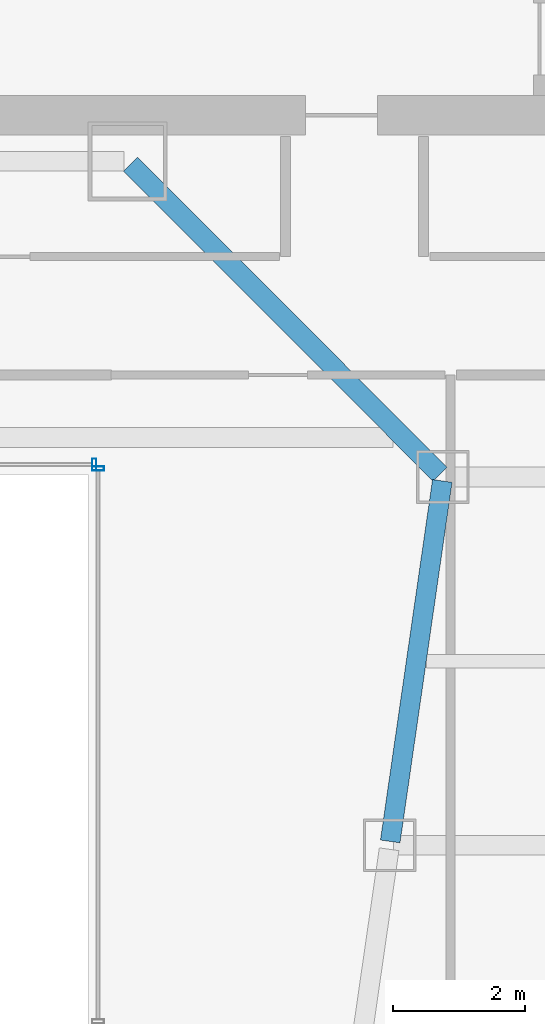
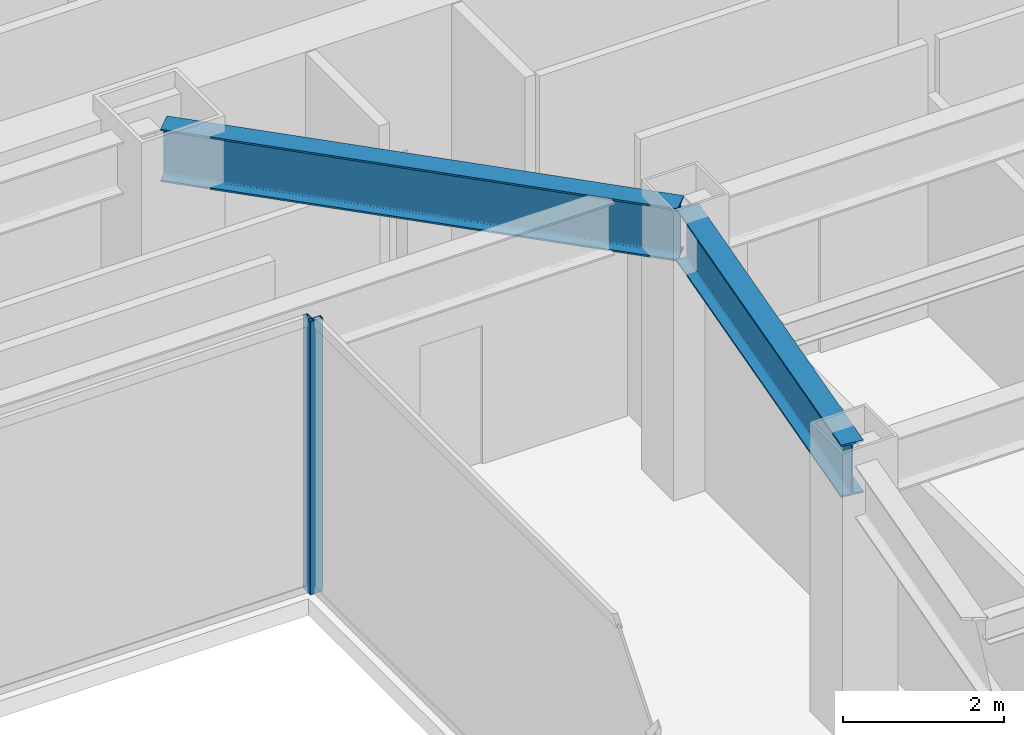
# One storey, part 29 of 47: 2 beams, 2 members, 2 elements without a shape of their own.
"""IFC4 building model written with IfcOpenShell, lengths in metres."""

from ifc_helpers import new_model, si_unit, direction, frame, origin, origin_2d, place, context, subcontext, project, spatial, hollow_rectangle, i_section, extrude, material, material_profile, profile_set, type_object, element, aggregate, save


model = new_model("IFC4")

# Units and contexts
model_context = context("Model", 3, precision=1e-05, world=origin(), true_north=direction((0.0, 1.0)))
body_context = subcontext(model_context, "Body", "Model", "MODEL_VIEW")
ifc_project = project(units=[si_unit("LENGTHUNIT", "METRE"), si_unit("AREAUNIT", "SQUARE_METRE"), si_unit("VOLUMEUNIT", "CUBIC_METRE"), si_unit("PLANEANGLEUNIT", "RADIAN"), si_unit("MASSUNIT", "GRAM", prefix="KILO")], contexts=[model_context])

# Site, building, storey
site_placement = place(None, origin())
site = spatial("IfcSite", under=ifc_project, at=site_placement, CompositionType="ELEMENT")
building_placement = place(site_placement, origin())
building = spatial("IfcBuilding", under=site, at=building_placement, Name="Saevonmaru Cultural Tower", CompositionType="ELEMENT")
storey_placement = place(building_placement, frame((0.0, 0.0, 92.800048828125)))
storey = spatial("IfcBuildingStorey", under=building, at=storey_placement, Name="L19", CompositionType="ELEMENT", Elevation=92.800048828125)

# Beams
ifc_material_1 = material(Name="Steel SM420", Category="steel")
ifc_material_profile_1 = material_profile(ifc_material_1, i_section(OverallWidth=0.300048828125, OverallDepth=0.800048828125, WebThickness=0.013916015625, FlangeThickness=0.02587890625, FilletRadius=0.028076171875, at=origin_2d()), Name="H-800x300x14x26")
ifc_profile_set_1 = profile_set([ifc_material_profile_1], Name="Steel SM420")
beam_type = type_object("IfcBeamType", Name="BM-G-H800", PredefinedType="BEAM", material=ifc_profile_set_1)
beam_1_placement = place(storey_placement, frame((40.3916015625, 32.059326171875, 3.75), z_axis=(0.142964121327, 0.989727871697, 0.0), x_axis=(-0.989727871697, 0.142964121327, 0.0)))
element("IfcBeam", 1, at=beam_1_placement, inside=storey, type_object=beam_type, Name="L19 East Atrium Girder 5", PredefinedType="BEAM", context=body_context, shape_type="SweptSolid", body=[
    extrude(i_section(OverallWidth=0.300048828125, OverallDepth=0.800048828125, WebThickness=0.013916015625, FlangeThickness=0.02587890625, FilletRadius=0.028076171875, at=origin_2d()), origin(), (0.0, 0.0, 1.0), 5.5380859375),
])
beam_2_placement = place(storey_placement, frame((41.149658203125, 37.642578125, 3.75), z_axis=(-0.706538566564, 0.707674539572, 0.0), x_axis=(-0.707674539572, -0.706538566564, 0.0)))
element("IfcBeam", 2, at=beam_2_placement, inside=storey, type_object=beam_type, Name="L19 East Atrium Girder 6", PredefinedType="BEAM", context=body_context, shape_type="SweptSolid", body=[
    extrude(i_section(OverallWidth=0.300048828125, OverallDepth=0.800048828125, WebThickness=0.013916015625, FlangeThickness=0.02587890625, FilletRadius=0.028076171875, at=origin_2d()), origin(), (0.0, 0.0, 1.0), 6.662353515625),
])

# Curtain wall, member
ifc_material_2 = material(Name="Satin Bronze Anodised Aluminium", Category="aluminium")
curtain_wall_type = type_object("IfcCurtainWallType", Name="CW-ATR-GLZ", PredefinedType="NOTDEFINED", material=ifc_material_2)
curtain_wall_1_placement = place(storey_placement, origin())
curtain_wall_1 = element("IfcCurtainWall", 3, at=curtain_wall_1_placement, inside=storey, type_object=curtain_wall_type, Name="L19 Vertical Atrium Glazed Smoke Screen 2", PredefinedType="NOTDEFINED")
ifc_material_profile_2 = material_profile(ifc_material_2, hollow_rectangle(XDim=0.06494140625, YDim=0.179931640625, WallThickness=0.00390625, at=origin_2d()), Name="ALU-MULL-180x65x4")
ifc_profile_set_2 = profile_set([ifc_material_profile_2], Name="Satin Bronze Anodised Aluminium")
member_type = type_object("IfcMemberType", Name="ML-CW-INT-180x65", PredefinedType="MULLION", material=ifc_profile_set_2)
member_1_placement = place(storey_placement, frame((35.949951171875, 37.72998046875, 0.0), z_axis=(0.0, 0.0, 1.0), x_axis=(0.0, 1.0, 0.0)))
member_1 = element("IfcMember", 4, at=member_1_placement, type_object=member_type, Name="CW-ATR-L19-2 mullion 3", PredefinedType="MULLION", context=body_context, shape_type="SweptSolid", body=[
    extrude(hollow_rectangle(XDim=0.06494140625, YDim=0.179931640625, WallThickness=0.00390625, at=origin_2d()), origin(), (0.0, 0.0, 1.0), 4.14990234375),
])
aggregate(curtain_wall_1, [member_1])

curtain_wall_2_placement = place(storey_placement, origin())
curtain_wall_2 = element("IfcCurtainWall", 5, at=curtain_wall_2_placement, inside=storey, type_object=curtain_wall_type, Name="L19 Vertical Atrium Glazed Smoke Screen 3", PredefinedType="NOTDEFINED")
member_2_placement = place(storey_placement, frame((35.889892578125, 37.7900390625, 0.0), z_axis=(0.0, 0.0, 1.0), x_axis=(-1.0, 0.0, 0.0)))
member_2 = element("IfcMember", 6, at=member_2_placement, type_object=member_type, Name="CW-ATR-L19-3 mullion 1", PredefinedType="MULLION", context=body_context, shape_type="SweptSolid", body=[
    extrude(hollow_rectangle(XDim=0.06494140625, YDim=0.179931640625, WallThickness=0.00390625, at=origin_2d()), origin(), (0.0, 0.0, 1.0), 4.14990234375),
])
aggregate(curtain_wall_2, [member_2])

save(model, "model.ifc")
